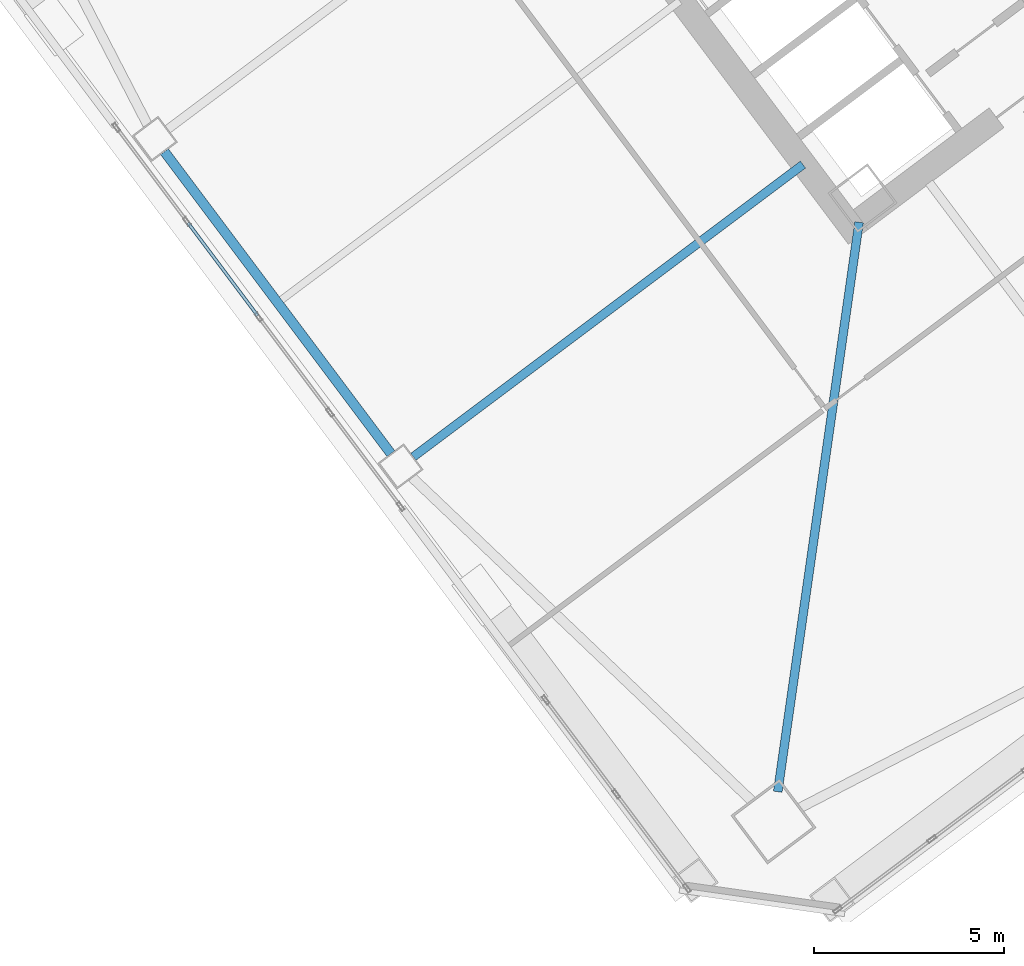
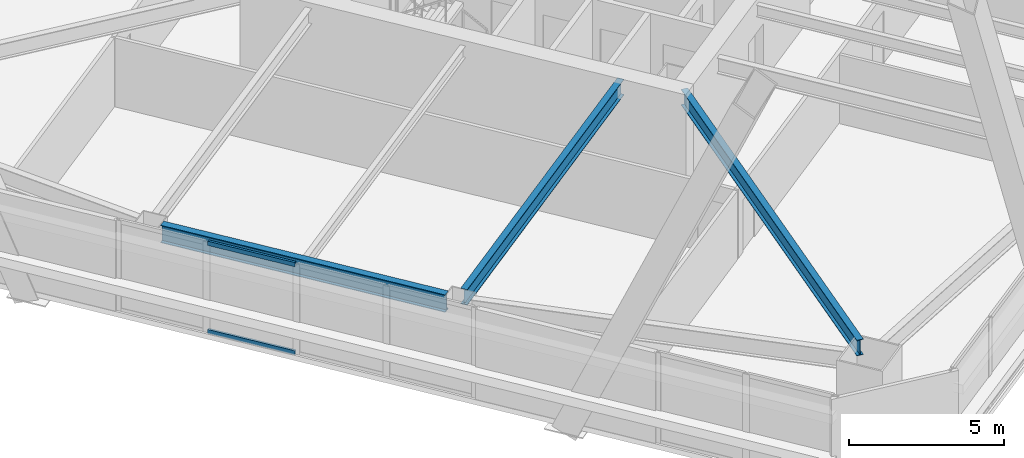
# One storey, part 35 of 75: 3 beams, 2 members, 1 element without a shape of its own.
"""IFC4 building model written with IfcOpenShell, lengths in metres."""

from ifc_helpers import new_model, si_unit, direction, frame, origin, origin_2d, place, context, subcontext, project, spatial, hollow_rectangle, i_section, extrude, material, material_profile, profile_set, type_object, element, aggregate, save


model = new_model("IFC4")

# Units and contexts
model_context = context("Model", 3, precision=1e-05, world=origin(), true_north=direction((0.0, 1.0)))
body_context = subcontext(model_context, "Body", "Model", "MODEL_VIEW")
ifc_project = project(units=[si_unit("LENGTHUNIT", "METRE"), si_unit("AREAUNIT", "SQUARE_METRE"), si_unit("VOLUMEUNIT", "CUBIC_METRE"), si_unit("PLANEANGLEUNIT", "RADIAN"), si_unit("MASSUNIT", "GRAM", prefix="KILO")], contexts=[model_context])

# Site, building, storey
site_placement = place(None, origin())
site = spatial("IfcSite", under=ifc_project, at=site_placement, CompositionType="ELEMENT")
building_placement = place(site_placement, origin())
building = spatial("IfcBuilding", under=site, at=building_placement, Name="Tashvorn Skyway Center", CompositionType="ELEMENT")
storey_placement = place(building_placement, frame((0.0, 0.0, 45.89990234375)))
storey = spatial("IfcBuildingStorey", under=building, at=storey_placement, Name="L11", CompositionType="ELEMENT", Elevation=45.89990234375)

# Beams
ifc_material_1 = material(Name="Steel ASTM A992 Grade 50", Category="steel")
ifc_material_profile_1 = material_profile(ifc_material_1, i_section(OverallWidth=0.22998046875, OverallDepth=0.616943359375, WebThickness=0.01318359375, FlangeThickness=0.022216796875, at=origin_2d()), Name="W24X94")
ifc_profile_set_1 = profile_set([ifc_material_profile_1], Name="Steel ASTM A992 Grade 50")
beam_type_1 = type_object("IfcBeamType", Name="BM-BEAM-W24X94", PredefinedType="BEAM", material=ifc_profile_set_1)
beam_1_placement = place(storey_placement, frame((110.3525390625, 6.467041015625, 3.04150390625), z_axis=(0.141414599991, 0.989950458816, 0.0), x_axis=(-0.989950458816, 0.141414599991, 0.0)))
element("IfcBeam", 1, at=beam_1_placement, inside=storey, type_object=beam_type_1, Name="Tower 2 L11 Primary Floor Girder MC-SW", PredefinedType="BEAM", context=body_context, shape_type="SweptSolid", body=[
    extrude(i_section(OverallWidth=0.22998046875, OverallDepth=0.616943359375, WebThickness=0.01318359375, FlangeThickness=0.022216796875, at=origin_2d()), origin(), (0.0, 0.0, 1.0), 15.177001953125),
])
beam_2_placement = place(storey_placement, frame((100.736083984375, 15.302001953125, 3.04150390625), z_axis=(0.800002279907, 0.599996960112, 0.0), x_axis=(-0.599996960112, 0.800002279907, 0.0)))
element("IfcBeam", 2, at=beam_2_placement, inside=storey, type_object=beam_type_1, Name="Tower 2 L11 Primary Floor Girder FC-W2", PredefinedType="BEAM", context=body_context, shape_type="SweptSolid", body=[
    extrude(i_section(OverallWidth=0.22998046875, OverallDepth=0.616943359375, WebThickness=0.01318359375, FlangeThickness=0.022216796875, at=origin_2d()), origin(), (0.0, 0.0, 1.0), 12.85009765625),
])
ifc_material_profile_2 = material_profile(ifc_material_1, i_section(OverallWidth=0.256103515625, OverallDepth=0.693115234375, WebThickness=0.014404296875, FlangeThickness=0.023681640625, at=origin_2d()), Name="W27X114")
ifc_profile_set_2 = profile_set([ifc_material_profile_2], Name="Steel ASTM A992 Grade 50")
beam_type_2 = type_object("IfcBeamType", Name="BM-SPANDREL-W27X114", PredefinedType="SPANDREL", material=ifc_profile_set_2)
beam_3_placement = place(storey_placement, frame((94.172119140625, 23.35400390625, 3.003662109375), z_axis=(0.599988234018, -0.800008824351, 0.0), x_axis=(0.800008824351, 0.599988234018, 0.0)))
element("IfcBeam", 3, at=beam_3_placement, inside=storey, type_object=beam_type_2, Name="Tower 2 L11 Spandrel Beam 11", PredefinedType="SPANDREL", context=body_context, shape_type="SweptSolid", body=[
    extrude(i_section(OverallWidth=0.256103515625, OverallDepth=0.693115234375, WebThickness=0.014404296875, FlangeThickness=0.023681640625, at=origin_2d()), origin(), (0.0, 0.0, 1.0), 9.9599609375),
])

# Curtain wall, members
ifc_material_2 = material(Name="Thermally broken bronze-anodized aluminium 6063-T6", Category="aluminium")
curtain_wall_type = type_object("IfcCurtainWallType", Name="CW-CW-Z1", PredefinedType="NOTDEFINED", material=ifc_material_2)
curtain_wall_placement = place(storey_placement, origin())
curtain_wall = element("IfcCurtainWall", 4, at=curtain_wall_placement, inside=storey, type_object=curtain_wall_type, Name="Tower 2 L11 West Unitised Curtain Wall Glazing Group 2", PredefinedType="NOTDEFINED")
ifc_material_profile_3 = material_profile(ifc_material_2, hollow_rectangle(XDim=0.0849609375, YDim=0.1650390625, WallThickness=0.0048828125, at=origin_2d()), Name="ALU-TRAN-85x165")
ifc_profile_set_3 = profile_set([ifc_material_profile_3], Name="Thermally broken bronze-anodized aluminium 6063-T6")
member_type = type_object("IfcMemberType", Name="CWT-CW-Z1", PredefinedType="USERDEFINED", material=ifc_profile_set_3)
member_1_placement = place(storey_placement, frame((96.630615234375, 19.02587890625, 0.04248046875), z_axis=(-0.60001275767, 0.799990431589, 0.0), x_axis=(-0.799990431589, -0.60001275767, 0.0)))
member_1 = element("IfcMember", 5, at=member_1_placement, type_object=member_type, Name="CW-Z1 transom 3.1", ObjectType="TRANSOM", PredefinedType="USERDEFINED", context=body_context, shape_type="SweptSolid", body=[
    extrude(hollow_rectangle(XDim=0.0849609375, YDim=0.1650390625, WallThickness=0.0048828125, at=origin_2d()), origin(), (0.0, 0.0, 1.0), 3.061767578125),
])
member_2_placement = place(storey_placement, frame((96.630615234375, 19.02587890625, 3.507568359375), z_axis=(-0.60001275767, 0.799990431589, 0.0), x_axis=(-0.799990431589, -0.60001275767, 0.0)))
member_2 = element("IfcMember", 6, at=member_2_placement, type_object=member_type, Name="CW-Z1 transom 3.2", ObjectType="TRANSOM", PredefinedType="USERDEFINED", context=body_context, shape_type="SweptSolid", body=[
    extrude(hollow_rectangle(XDim=0.0849609375, YDim=0.1650390625, WallThickness=0.0048828125, at=origin_2d()), origin(), (0.0, 0.0, 1.0), 3.061767578125),
])
aggregate(curtain_wall, [member_1, member_2])

save(model, "model.ifc")
